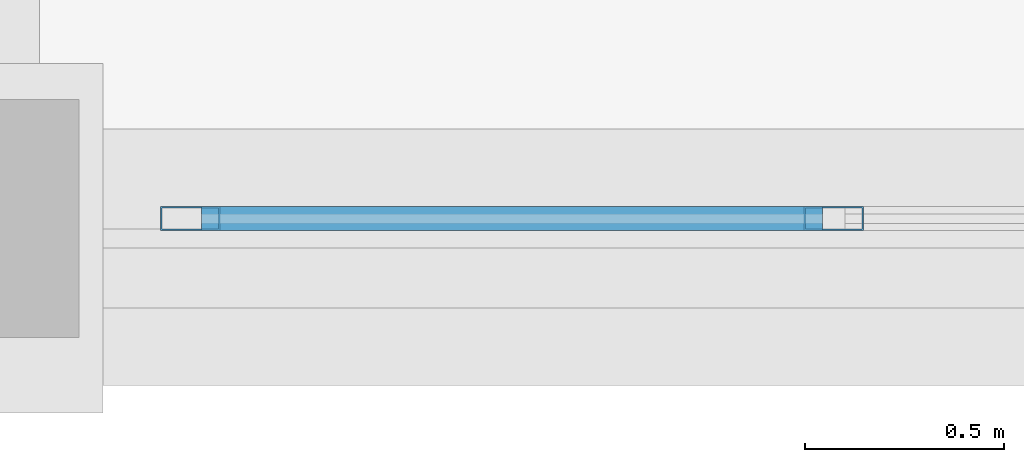
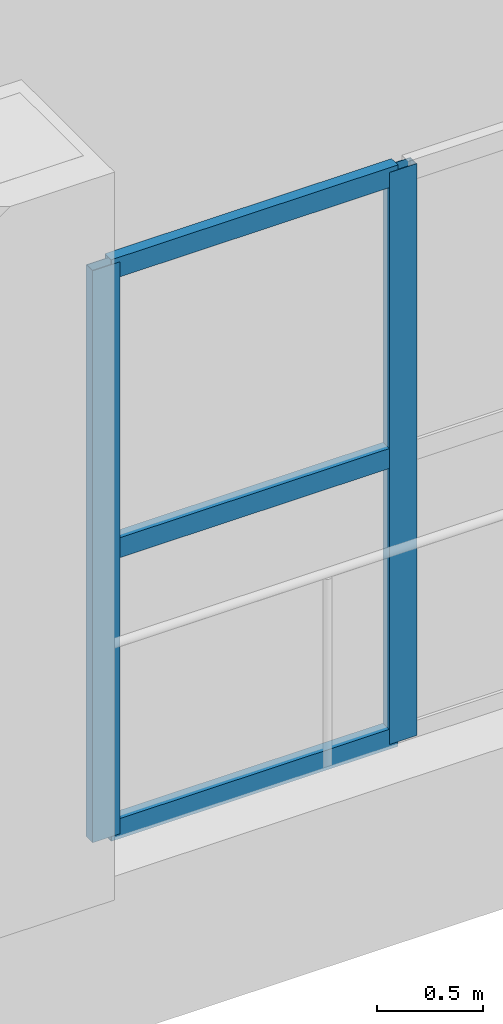
# One storey, part 64 of 120: 5 members, 1 element without a shape of its own.
"""IFC4 building model written with IfcOpenShell, lengths in metres."""

from ifc_helpers import new_model, si_unit, direction, frame, origin, origin_2d, place, context, subcontext, project, spatial, hollow_rectangle, extrude, material, material_profile, profile_set, type_object, element, aggregate, save


model = new_model("IFC4")

# Units and contexts
model_context = context("Model", 3, precision=1e-05, world=origin(), true_north=direction((0.0, 1.0)))
body_context = subcontext(model_context, "Body", "Model", "MODEL_VIEW")
ifc_project = project(units=[si_unit("LENGTHUNIT", "METRE"), si_unit("AREAUNIT", "SQUARE_METRE"), si_unit("VOLUMEUNIT", "CUBIC_METRE"), si_unit("PLANEANGLEUNIT", "RADIAN"), si_unit("MASSUNIT", "GRAM", prefix="KILO")], contexts=[model_context])

# Site, building, storey
site_placement = place(None, origin())
site = spatial("IfcSite", under=ifc_project, at=site_placement, CompositionType="ELEMENT")
building_placement = place(site_placement, origin())
building = spatial("IfcBuilding", under=site, at=building_placement, Name="Caurita Quay Ferry Terminal", CompositionType="ELEMENT")
storey_placement = place(building_placement, frame((0.0, 0.0, 9.89990234375)))
storey = spatial("IfcBuildingStorey", under=building, at=storey_placement, Name="L02", CompositionType="ELEMENT", Elevation=9.89990234375)

# Curtain wall, members
ifc_material_1 = material(Name="Laminated solar-control insulated glass", Category="glass")
curtain_wall_type = type_object("IfcCurtainWallType", Name="CW-SYS-24", PredefinedType="NOTDEFINED", material=ifc_material_1)
curtain_wall_placement = place(storey_placement, origin())
curtain_wall = element("IfcCurtainWall", 1, at=curtain_wall_placement, inside=storey, type_object=curtain_wall_type, Name="L02 Courtyard Cloister Storefront 170", PredefinedType="NOTDEFINED")
ifc_material_2 = material(Name="Anodized aluminium 6063-T6", Category="aluminium")
ifc_material_profile_1 = material_profile(ifc_material_2, hollow_rectangle(XDim=0.06005859375, YDim=0.14990234375, WallThickness=0.00341796875, at=origin_2d()), Name="ALU-MUL-60X150")
ifc_profile_set_1 = profile_set([ifc_material_profile_1], Name="Anodized aluminium 6063-T6")
member_type_1 = type_object("IfcMemberType", Name="CW-MUL-150", PredefinedType="MULLION", material=ifc_profile_set_1)
member_1_placement = place(storey_placement, frame((44.580078125, 107.800048828125, 0.0), z_axis=(0.0, 0.0, 1.0), x_axis=(0.0, 1.0, 0.0)))
member_1 = element("IfcMember", 2, at=member_1_placement, type_object=member_type_1, Name="CW-CRT-170 Mullion 1", PredefinedType="MULLION", context=body_context, shape_type="SweptSolid", body=[
    extrude(hollow_rectangle(XDim=0.06005859375, YDim=0.14990234375, WallThickness=0.00341796875, at=origin_2d()), origin(), (0.0, 0.0, 1.0), 3.300048828125),
])
member_2_placement = place(storey_placement, frame((46.199951171875, 107.800048828125, 0.0), z_axis=(0.0, 0.0, 1.0), x_axis=(0.0, 1.0, 0.0)))
member_2 = element("IfcMember", 3, at=member_2_placement, type_object=member_type_1, Name="CW-CRT-170 Mullion 2", PredefinedType="MULLION", context=body_context, shape_type="SweptSolid", body=[
    extrude(hollow_rectangle(XDim=0.06005859375, YDim=0.14990234375, WallThickness=0.00341796875, at=origin_2d()), origin(), (0.0, 0.0, 1.0), 3.300048828125),
])
ifc_material_profile_2 = material_profile(ifc_material_2, hollow_rectangle(XDim=0.06005859375, YDim=0.114990234375, WallThickness=0.00341796875, at=origin_2d()), Name="ALU-TRN-60X115")
ifc_profile_set_2 = profile_set([ifc_material_profile_2], Name="Anodized aluminium 6063-T6")
member_type_2 = type_object("IfcMemberType", Name="CW-TRN-115", PredefinedType="USERDEFINED", material=ifc_profile_set_2)
member_3_placement = place(storey_placement, frame((44.60791015625, 107.800048828125, 0.030029296875), z_axis=(1.0, 0.0, 0.0), x_axis=(0.0, 1.0, 0.0)))
member_3 = element("IfcMember", 4, at=member_3_placement, type_object=member_type_2, Name="CW-CRT-170 Transom 1", ObjectType="TRANSOM", PredefinedType="USERDEFINED", context=body_context, shape_type="SweptSolid", body=[
    extrude(hollow_rectangle(XDim=0.06005859375, YDim=0.114990234375, WallThickness=0.00341796875, at=origin_2d()), origin(), (0.0, 0.0, 1.0), 1.564208984375),
])
member_4_placement = place(storey_placement, frame((44.60791015625, 107.800048828125, 1.650146484375), z_axis=(1.0, 0.0, 0.0), x_axis=(0.0, 1.0, 0.0)))
member_4 = element("IfcMember", 5, at=member_4_placement, type_object=member_type_2, Name="CW-CRT-170 Transom 2", ObjectType="TRANSOM", PredefinedType="USERDEFINED", context=body_context, shape_type="SweptSolid", body=[
    extrude(hollow_rectangle(XDim=0.06005859375, YDim=0.114990234375, WallThickness=0.00341796875, at=origin_2d()), origin(), (0.0, 0.0, 1.0), 1.564208984375),
])
member_5_placement = place(storey_placement, frame((44.60791015625, 107.800048828125, 3.27001953125), z_axis=(1.0, 0.0, 0.0), x_axis=(0.0, 1.0, 0.0)))
member_5 = element("IfcMember", 6, at=member_5_placement, type_object=member_type_2, Name="CW-CRT-170 Transom 3", ObjectType="TRANSOM", PredefinedType="USERDEFINED", context=body_context, shape_type="SweptSolid", body=[
    extrude(hollow_rectangle(XDim=0.06005859375, YDim=0.114990234375, WallThickness=0.00341796875, at=origin_2d()), origin(), (0.0, 0.0, 1.0), 1.564208984375),
])
aggregate(curtain_wall, [member_1, member_2, member_3, member_4, member_5])

save(model, "model.ifc")
